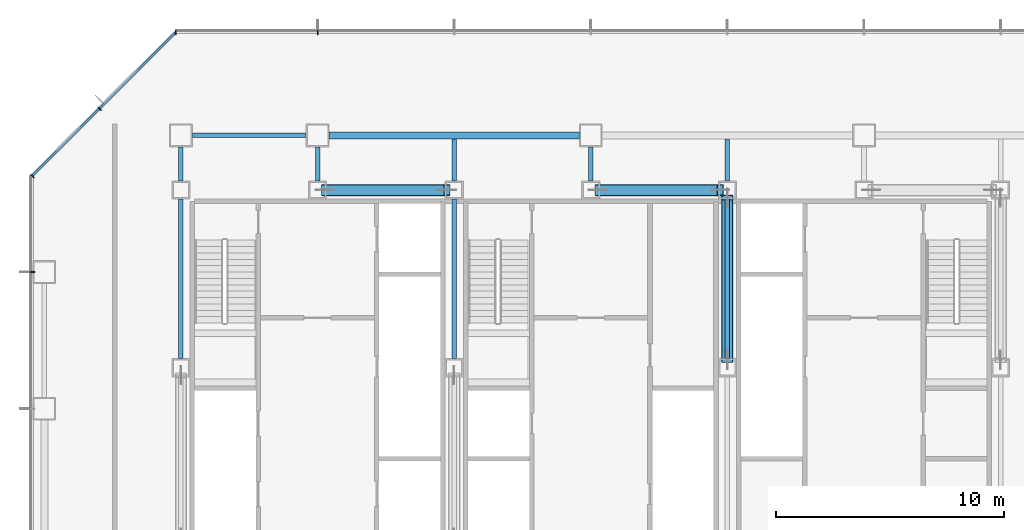
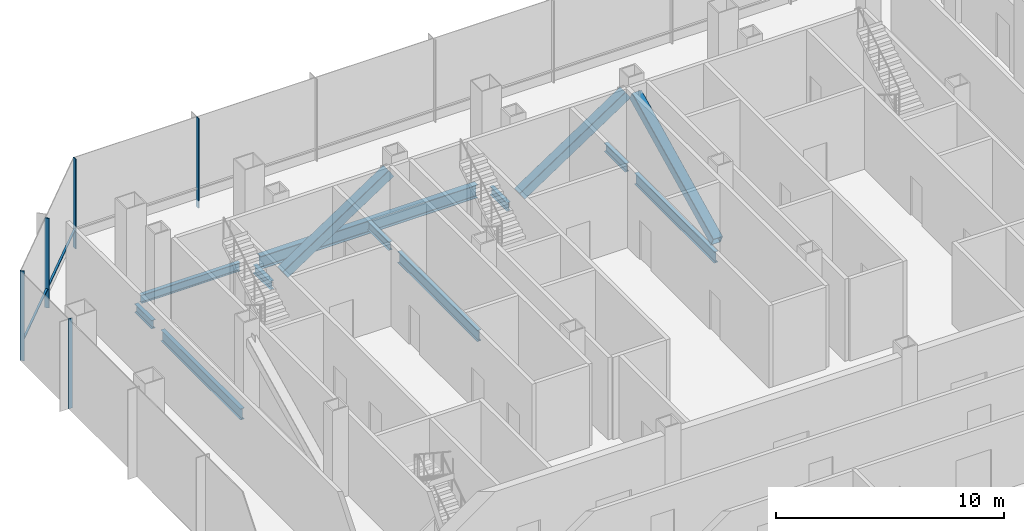
# One storey, part 13 of 33: 10 beams, 9 members, 3 elements without a shape of their own.
"""IFC4 building model written with IfcOpenShell, lengths in metres."""

from ifc_helpers import new_model, si_unit, direction, frame, origin, origin_2d, place, context, subcontext, project, spatial, rectangle, hollow_rectangle, i_section, extrude, material, material_profile, profile_set, type_object, element, aggregate, save


model = new_model("IFC4")

# Units and contexts
model_context = context("Model", 3, precision=1e-05, world=origin(), true_north=direction((0.0, 1.0)))
body_context = subcontext(model_context, "Body", "Model", "MODEL_VIEW")
ifc_project = project(units=[si_unit("LENGTHUNIT", "METRE"), si_unit("AREAUNIT", "SQUARE_METRE"), si_unit("VOLUMEUNIT", "CUBIC_METRE"), si_unit("PLANEANGLEUNIT", "RADIAN"), si_unit("MASSUNIT", "GRAM", prefix="KILO")], contexts=[model_context])

# Site, building, storey
site_placement = place(None, origin())
site = spatial("IfcSite", under=ifc_project, at=site_placement, CompositionType="ELEMENT")
building_placement = place(site_placement, origin())
building = spatial("IfcBuilding", under=site, at=building_placement, Name="Sorahane Residences", CompositionType="ELEMENT")
storey_placement = place(building_placement, frame((0.0, 0.0, 30.0)))
storey = spatial("IfcBuildingStorey", under=building, at=storey_placement, Name="L04", CompositionType="ELEMENT", Elevation=30.0)

# Members
ifc_material_1 = material(Name="Steel Q355B", Category="steel")
ifc_material_profile_1 = material_profile(ifc_material_1, hollow_rectangle(XDim=0.5, YDim=0.5, WallThickness=0.02490234375, InnerFilletRadius=0.012451171875, OuterFilletRadius=0.03759765625, at=origin_2d()), Name="RHS 500x500x25")
ifc_profile_set_1 = profile_set([ifc_material_profile_1], Name="Steel Q355B")
member_type_1 = type_object("IfcMemberType", Name="Core brace RHS 500x500x25 Q355B", PredefinedType="BRACE", material=ifc_profile_set_1)
for number, where, z_axis, x_axis, name in (
    (1, (12.317138671875, 45.60009765625, 0.195068359375), (0.833273178454, 0.0, 0.552861474575), (0.0, 1.0, 0.0), "Core brace L04 y45.6-2"),
    (2, (24.317138671875, 45.60009765625, 0.195068359375), (0.833273178454, 0.0, 0.552861474575), (0.0, 1.0, 0.0), "Core brace L04 y45.6-4"),
):
    element("IfcMember", number, at=place(storey_placement, frame(where, z_axis=z_axis, x_axis=x_axis)), inside=storey, type_object=member_type_1, Name=name, PredefinedType="BRACE", context=body_context, shape_type="SweptSolid", body=[
        extrude(hollow_rectangle(XDim=0.5, YDim=0.5, WallThickness=0.02490234375, InnerFilletRadius=0.012451171875, OuterFilletRadius=0.03759765625, at=origin_2d()), origin(), (0.0, 0.0, 1.0), 6.439453125),
    ])
member_1_placement = place(storey_placement, frame((30.0, 38.1337890625, 0.21728515625), z_axis=(0.0, 0.89697311716, 0.44208509033), x_axis=(-1.0, 0.0, 0.0)))
element("IfcMember", 3, at=member_1_placement, inside=storey, type_object=member_type_1, Name="Core brace L04 x30-2", PredefinedType="BRACE", context=body_context, shape_type="SweptSolid", body=[
    extrude(hollow_rectangle(XDim=0.5, YDim=0.5, WallThickness=0.02490234375, InnerFilletRadius=0.012451171875, OuterFilletRadius=0.03759765625, at=origin_2d()), origin(), (0.0, 0.0, 1.0), 7.951904296875),
])

# Curtain wall, members
ifc_material_2 = material(Name="Dark low-e glass and black anodised aluminium", Category="aluminium")
curtain_wall_type = type_object("IfcCurtainWallType", Name="Curtain wall CW-3 Podium unitised wall", PredefinedType="NOTDEFINED", material=ifc_material_2)
curtain_wall_1_placement = place(storey_placement, origin())
curtain_wall_1 = element("IfcCurtainWall", 4, at=curtain_wall_1_placement, inside=storey, type_object=curtain_wall_type, Name="CW-3 curtain wall L04 N1", PredefinedType="NOTDEFINED")
ifc_material_3 = material(Name="Black anodised aluminium", Category="aluminium")
ifc_material_profile_2 = material_profile(ifc_material_3, rectangle(XDim=0.199951171875, YDim=0.050048828125, at=origin_2d()), Name="Curtain wall mullion CW-3 black anodised aluminium 50x200")
ifc_profile_set_2 = profile_set([ifc_material_profile_2], Name="Black anodised aluminium")
member_type_2 = type_object("IfcMemberType", Name="Curtain wall mullion CW-3 black anodised aluminium 50x200", PredefinedType="MULLION", material=ifc_profile_set_2)
member_2_placement = place(storey_placement, frame((12.0, 52.52001953125, -0.39990234375), z_axis=(0.0, 0.0, 1.0), x_axis=(0.0, 1.0, 0.0)))
member_2 = element("IfcMember", 5, at=member_2_placement, type_object=member_type_2, Name="CW-3 mullion L04 N1.12", PredefinedType="MULLION", context=body_context, shape_type="SweptSolid", body=[
    extrude(rectangle(XDim=0.199951171875, YDim=0.050048828125, at=origin_2d()), origin(), (0.0, 0.0, 1.0), 4.7998046875),
])
member_3_placement = place(storey_placement, frame((5.7763671875, 52.52001953125, -0.39990234375), z_axis=(0.0, 0.0, 1.0), x_axis=(0.0, 1.0, 0.0)))
member_3 = element("IfcMember", 6, at=member_3_placement, type_object=member_type_2, Name="CW-3 mullion L04 N1.13", PredefinedType="MULLION", context=body_context, shape_type="SweptSolid", body=[
    extrude(rectangle(XDim=0.199951171875, YDim=0.050048828125, at=origin_2d()), origin(), (0.0, 0.0, 1.0), 4.7998046875),
])
aggregate(curtain_wall_1, [member_2, member_3])

curtain_wall_2_placement = place(storey_placement, origin())
curtain_wall_2 = element("IfcCurtainWall", 7, at=curtain_wall_2_placement, inside=storey, type_object=curtain_wall_type, Name="CW-3 curtain wall L04 NW1", PredefinedType="NOTDEFINED")
member_4_placement = place(storey_placement, frame((2.432373046875, 49.167724609375, -0.39990234375), z_axis=(0.0, 0.0, 1.0), x_axis=(-0.707106781187, 0.707106781187, 0.0)))
member_4 = element("IfcMember", 8, at=member_4_placement, type_object=member_type_2, Name="CW-3 mullion L04 NW1.2", PredefinedType="MULLION", context=body_context, shape_type="SweptSolid", body=[
    extrude(rectangle(XDim=0.199951171875, YDim=0.050048828125, at=origin_2d()), origin(), (0.0, 0.0, 1.0), 4.7998046875),
])
member_5_placement = place(storey_placement, frame((-0.525634765625, 46.209716796875, -0.39990234375), z_axis=(0.0, 0.0, 1.0), x_axis=(-0.707106781187, 0.707106781187, 0.0)))
member_5 = element("IfcMember", 9, at=member_5_placement, type_object=member_type_2, Name="CW-3 mullion L04 NW1.3", PredefinedType="MULLION", context=body_context, shape_type="SweptSolid", body=[
    extrude(rectangle(XDim=0.199951171875, YDim=0.050048828125, at=origin_2d()), origin(), (0.0, 0.0, 1.0), 4.7998046875),
])

# Curtain wall, member
curtain_wall_3_placement = place(storey_placement, origin())
curtain_wall_3 = element("IfcCurtainWall", 10, at=curtain_wall_3_placement, inside=storey, type_object=curtain_wall_type, Name="CW-3 curtain wall L04 W1", PredefinedType="NOTDEFINED")
member_6_placement = place(storey_placement, frame((-0.52001953125, 42.0, -0.39990234375), z_axis=(0.0, 0.0, 1.0), x_axis=(-1.0, 0.0, 0.0)))
member_6 = element("IfcMember", 11, at=member_6_placement, type_object=member_type_2, Name="CW-3 mullion L04 W1.2", PredefinedType="MULLION", context=body_context, shape_type="SweptSolid", body=[
    extrude(rectangle(XDim=0.199951171875, YDim=0.050048828125, at=origin_2d()), origin(), (0.0, 0.0, 1.0), 4.7998046875),
])
aggregate(curtain_wall_3, [member_6])

# Member
ifc_material_4 = material(Name="Black anodised aluminium", Category="aluminium")
ifc_material_profile_3 = material_profile(ifc_material_4, rectangle(XDim=0.10009765625, YDim=0.06005859375, at=origin_2d()), Name="Curtain wall transom CW-3 black anodised aluminium 60x100")
ifc_profile_set_3 = profile_set([ifc_material_profile_3], Name="Black anodised aluminium")
member_type_3 = type_object("IfcMemberType", Name="Curtain wall transom CW-3 black anodised aluminium 60x100", PredefinedType="USERDEFINED", material=ifc_profile_set_3)
member_7_placement = place(storey_placement, frame((5.765625, 52.51513671875, 0.60009765625), z_axis=(-0.707106781187, -0.707106781187, 0.0), x_axis=(0.707106781187, -0.707106781187, 0.0)))
member_7 = element("IfcMember", 12, at=member_7_placement, type_object=member_type_3, Name="CW-3 transom L04 NW1", ObjectType="TRANSOM", PredefinedType="USERDEFINED", context=body_context, shape_type="SweptSolid", body=[
    extrude(rectangle(XDim=0.10009765625, YDim=0.06005859375, at=origin_2d()), origin(), (0.0, 0.0, 1.0), 8.88232421875),
])

aggregate(curtain_wall_2, [member_4, member_5, member_7])

# Beams
ifc_material_5 = material(Name="Steel Q355B", Category="steel")
ifc_material_profile_4 = material_profile(ifc_material_5, i_section(OverallWidth=0.199951171875, OverallDepth=0.449951171875, WebThickness=0.009033203125, FlangeThickness=0.013916015625, FilletRadius=0.02001953125, at=origin_2d()), Name="HN 450x200x9x14")
ifc_profile_set_4 = profile_set([ifc_material_profile_4], Name="Steel Q355B")
beam_type_1 = type_object("IfcBeamType", Name="Steel floor beam HN 450x200x9x14 Q355B", PredefinedType="BEAM", material=ifc_profile_set_4)
beam_1_placement = place(storey_placement, frame((6.5, 48.0, -0.625), z_axis=(1.0, 0.0, 0.0), x_axis=(0.0, 1.0, 0.0)))
element("IfcBeam", 13, at=beam_1_placement, inside=storey, type_object=beam_type_1, Name="Beam L04 018", PredefinedType="BEAM", context=body_context, shape_type="SweptSolid", body=[
    extrude(i_section(OverallWidth=0.199951171875, OverallDepth=0.449951171875, WebThickness=0.009033203125, FlangeThickness=0.013916015625, FilletRadius=0.02001953125, at=origin_2d()), origin(), (0.0, 0.0, 1.0), 5.0),
])
for number, where, z_axis, x_axis, name in (
    (14, (6.0, 46.0, -0.625), (0.0, 1.0, 0.0), (-1.0, 0.0, 0.0), "Beam L04 034"),
    (15, (12.0, 46.0, -0.625), (0.0, 1.0, 0.0), (-1.0, 0.0, 0.0), "Beam L04 037"),
):
    element("IfcBeam", number, at=place(storey_placement, frame(where, z_axis=z_axis, x_axis=x_axis)), inside=storey, type_object=beam_type_1, Name=name, PredefinedType="BEAM", context=body_context, shape_type="SweptSolid", body=[
        extrude(i_section(OverallWidth=0.199951171875, OverallDepth=0.449951171875, WebThickness=0.009033203125, FlangeThickness=0.013916015625, FilletRadius=0.02001953125, at=origin_2d()), origin(), (0.0, 0.0, 1.0), 1.5),
    ])
beam_2_placement = place(storey_placement, frame((18.0, 46.0, -0.625), z_axis=(0.0, 1.0, 0.0), x_axis=(-1.0, 0.0, 0.0)))
element("IfcBeam", 16, at=beam_2_placement, inside=storey, type_object=beam_type_1, Name="Beam L04 043", PredefinedType="BEAM", context=body_context, shape_type="SweptSolid", body=[
    extrude(i_section(OverallWidth=0.199951171875, OverallDepth=0.449951171875, WebThickness=0.009033203125, FlangeThickness=0.013916015625, FilletRadius=0.02001953125, at=origin_2d()), origin(), (0.0, 0.0, 1.0), 1.85009765625),
])
beam_3_placement = place(storey_placement, frame((24.0, 46.0, -0.625), z_axis=(0.0, 1.0, 0.0), x_axis=(-1.0, 0.0, 0.0)))
element("IfcBeam", 17, at=beam_3_placement, inside=storey, type_object=beam_type_1, Name="Beam L04 046", PredefinedType="BEAM", context=body_context, shape_type="SweptSolid", body=[
    extrude(i_section(OverallWidth=0.199951171875, OverallDepth=0.449951171875, WebThickness=0.009033203125, FlangeThickness=0.013916015625, FilletRadius=0.02001953125, at=origin_2d()), origin(), (0.0, 0.0, 1.0), 1.5),
])
beam_4_placement = place(storey_placement, frame((30.0, 46.0, -0.625), z_axis=(0.0, 1.0, 0.0), x_axis=(-1.0, 0.0, 0.0)))
element("IfcBeam", 18, at=beam_4_placement, inside=storey, type_object=beam_type_1, Name="Beam L04 052", PredefinedType="BEAM", context=body_context, shape_type="SweptSolid", body=[
    extrude(i_section(OverallWidth=0.199951171875, OverallDepth=0.449951171875, WebThickness=0.009033203125, FlangeThickness=0.013916015625, FilletRadius=0.02001953125, at=origin_2d()), origin(), (0.0, 0.0, 1.0), 1.85009765625),
])
ifc_material_6 = material(Name="Steel Q355B", Category="steel")
ifc_material_profile_5 = material_profile(ifc_material_6, i_section(OverallWidth=0.199951171875, OverallDepth=0.60009765625, WebThickness=0.010986328125, FlangeThickness=0.01708984375, FilletRadius=0.02392578125, at=origin_2d()), Name="HN 600x200x11x17")
ifc_profile_set_5 = profile_set([ifc_material_profile_5], Name="Steel Q355B")
beam_type_2 = type_object("IfcBeamType", Name="Steel floor beam HN 600x200x11x17 Q355B", PredefinedType="BEAM", material=ifc_profile_set_5)
for number, where, z_axis, x_axis, name in (
    (19, (6.0, 38.199951171875, -0.699951171875), (0.0, 1.0, 0.0), (-1.0, 0.0, 0.0), "Beam L04 033"),
    (20, (18.0, 38.199951171875, -0.699951171875), (0.0, 1.0, 0.0), (-1.0, 0.0, 0.0), "Beam L04 042"),
    (21, (30.0, 38.199951171875, -0.699951171875), (0.0, 1.0, 0.0), (-1.0, 0.0, 0.0), "Beam L04 051"),
):
    element("IfcBeam", number, at=place(storey_placement, frame(where, z_axis=z_axis, x_axis=x_axis)), inside=storey, type_object=beam_type_2, Name=name, PredefinedType="BEAM", context=body_context, shape_type="SweptSolid", body=[
        extrude(i_section(OverallWidth=0.199951171875, OverallDepth=0.60009765625, WebThickness=0.010986328125, FlangeThickness=0.01708984375, FilletRadius=0.02392578125, at=origin_2d()), origin(), (0.0, 0.0, 1.0), 7.0),
    ])
ifc_material_7 = material(Name="Steel Q355B", Category="steel")
ifc_material_profile_6 = material_profile(ifc_material_7, i_section(OverallWidth=0.300048828125, OverallDepth=0.699951171875, WebThickness=0.012939453125, FlangeThickness=0.02392578125, FilletRadius=0.028076171875, at=origin_2d()), Name="HN 700x300x13x24")
ifc_profile_set_6 = profile_set([ifc_material_profile_6], Name="Steel Q355B")
beam_type_3 = type_object("IfcBeamType", Name="Steel floor beam HN 700x300x13x24 Q355B", PredefinedType="BEAM", material=ifc_profile_set_6)
beam_5_placement = place(storey_placement, frame((12.5, 48.0, -0.75), z_axis=(1.0, 0.0, 0.0), x_axis=(0.0, 1.0, 0.0)))
element("IfcBeam", 22, at=beam_5_placement, inside=storey, type_object=beam_type_3, Name="Beam L04 019", PredefinedType="BEAM", context=body_context, shape_type="SweptSolid", body=[
    extrude(i_section(OverallWidth=0.300048828125, OverallDepth=0.699951171875, WebThickness=0.012939453125, FlangeThickness=0.02392578125, FilletRadius=0.028076171875, at=origin_2d()), origin(), (0.0, 0.0, 1.0), 11.0),
])

save(model, "model.ifc")
